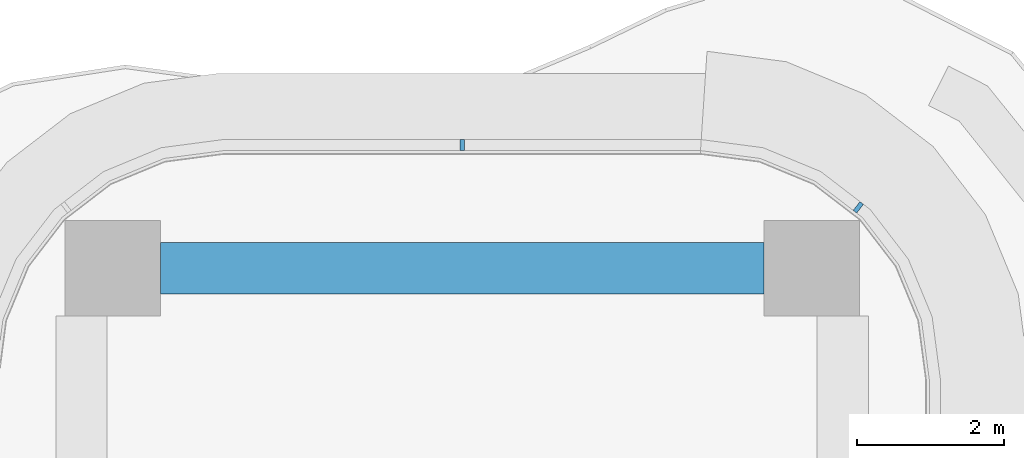
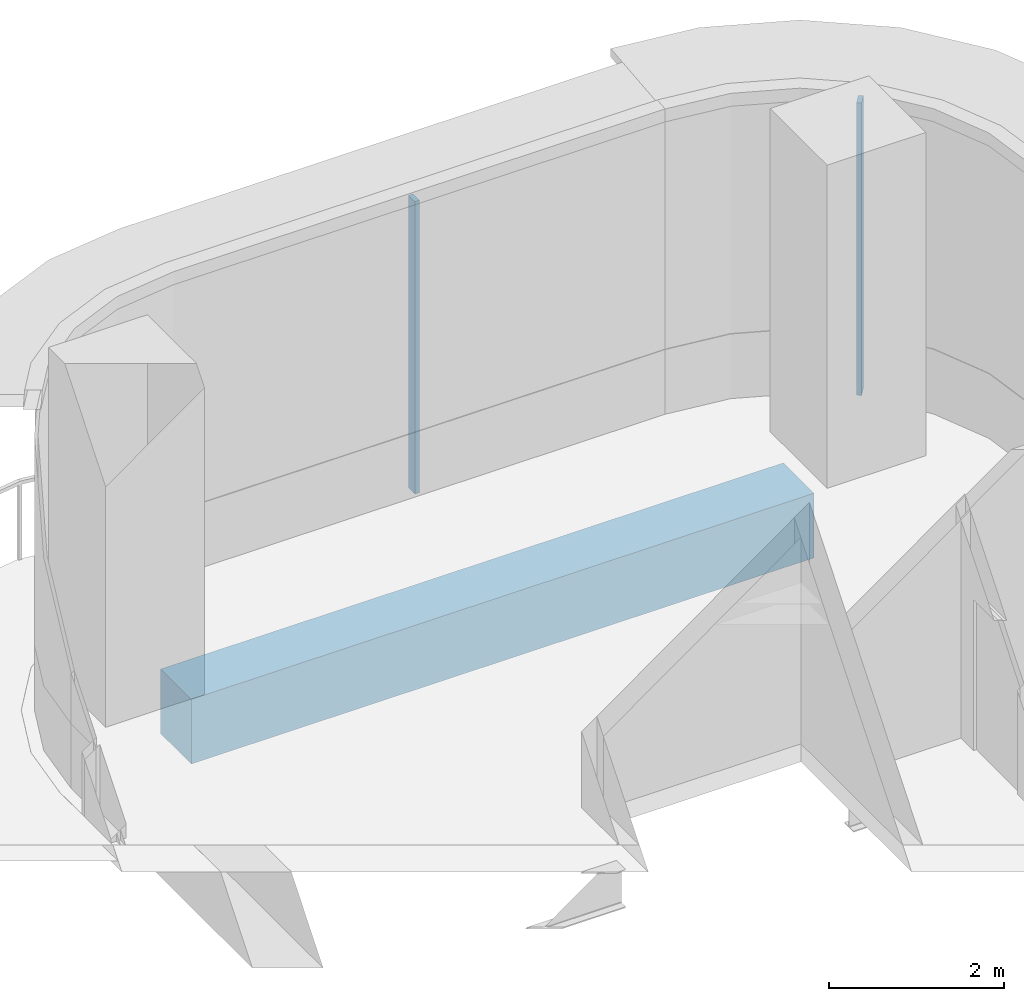
# One storey, part 12 of 23: 2 members, 1 beam, 2 elements without a shape of their own.
"""IFC4 building model written with IfcOpenShell, lengths in metres."""

from ifc_helpers import new_model, si_unit, direction, frame, origin, origin_2d, place, context, subcontext, project, spatial, rectangle, extrude, source, transform, mapped, material, layer, layer_set, material_profile, profile_set, type_object, element, aggregate, save


model = new_model("IFC4")

# Units and contexts
model_context = context("Model", 3, precision=1e-05, world=origin(), true_north=direction((0.0, 1.0)))
body_context = subcontext(model_context, "Body", "Model", "MODEL_VIEW")
ifc_project = project(units=[si_unit("LENGTHUNIT", "METRE"), si_unit("AREAUNIT", "SQUARE_METRE"), si_unit("VOLUMEUNIT", "CUBIC_METRE"), si_unit("PLANEANGLEUNIT", "RADIAN"), si_unit("MASSUNIT", "GRAM", prefix="KILO")], contexts=[model_context])

# Site, building, storey
site_placement = place(None, origin())
site = spatial("IfcSite", under=ifc_project, at=site_placement, CompositionType="ELEMENT")
building_placement = place(site_placement, origin())
building = spatial("IfcBuilding", under=site, at=building_placement, Name="Trellis Farm Tower", CompositionType="ELEMENT")
storey_placement = place(building_placement, frame((0.0, 0.0, 120.0)))
storey = spatial("IfcBuildingStorey", under=building, at=storey_placement, Name="L25", CompositionType="ELEMENT", Elevation=120.0)

# Beam
ifc_material_1 = material(Name="Concrete C60/75", Category="concrete")
ifc_material_profile_1 = material_profile(ifc_material_1, rectangle(XDim=0.699951171875, YDim=0.89990234375, at=origin_2d()), Name="RC spandrel beam 700x900 C60/75")
ifc_profile_set_1 = profile_set([ifc_material_profile_1], Name="Concrete C60/75")
beam_type = type_object("IfcBeamType", Name="RC spandrel beam 700x900 C60/75", PredefinedType="SPANDREL", material=ifc_profile_set_1)
shared_shape_1 = source(origin(), body_context, "Body", "SweptSolid", [
    extrude(rectangle(XDim=0.699951171875, YDim=0.89990234375, at=origin_2d()), origin(), (0.0, 0.0, 1.0), 8.2001953125),
])
beam_placement = place(storey_placement, frame((-4.10009765625, 24.25, -0.699951171875), z_axis=(1.0, 0.0, 0.0), x_axis=(0.0, 1.0, 0.0)))
element("IfcBeam", 1, at=beam_placement, inside=storey, type_object=beam_type, Name="Girder", PredefinedType="SPANDREL", context=body_context, shape_type="MappedRepresentation", body=[
    mapped(shared_shape_1, transform((0.0, 0.0, 0.0))),
])

# Curtain wall, member
ifc_material_2 = material(Name="Aluminium and glass curtain wall", Category="aluminium")
ifc_layer = layer(ifc_material_2, 0.18994140625)
ifc_layer_set = layer_set([ifc_layer], Name="RIBBON CURTAIN WALL CW1")
curtain_wall_type = type_object("IfcCurtainWallType", Name="RIBBON CURTAIN WALL CW1", PredefinedType="NOTDEFINED", material=ifc_layer_set)
placement = place(storey_placement, origin())
curtain_wall_1 = element("IfcCurtainWall", 2, at=placement, inside=storey, type_object=curtain_wall_type, Name="CW1 009", PredefinedType="NOTDEFINED")
ifc_material_3 = material(Name="Aluminium extrusion 6063-T6", Category="aluminium")
ifc_material_profile_2 = material_profile(ifc_material_3, rectangle(XDim=0.06005859375, YDim=0.14990234375, at=origin_2d()), Name="MULLION 60x150")
ifc_profile_set_2 = profile_set([ifc_material_profile_2], Name="Aluminium extrusion 6063-T6")
member_type = type_object("IfcMemberType", Name="CW1 MULLION 60x150", PredefinedType="MULLION", material=ifc_profile_set_2)
shared_shape_2 = source(origin(), body_context, "Body", "SweptSolid", [
    extrude(rectangle(XDim=0.06005859375, YDim=0.14990234375, at=origin_2d()), origin(), (0.0, 0.0, 1.0), 4.070068359375),
])
member_1_placement = place(storey_placement, frame((5.385498046875, 25.078369140625, 0.0), z_axis=(0.0, 0.0, 1.0), x_axis=(-0.793353340291, 0.608761429009, 0.0)))
member_1 = element("IfcMember", 3, at=member_1_placement, type_object=member_type, Name="MU1 009-03", PredefinedType="MULLION", context=body_context, shape_type="MappedRepresentation", body=[
    mapped(shared_shape_2, transform((0.0, 0.0, 0.0))),
])
aggregate(curtain_wall_1, [member_1])

curtain_wall_2 = element("IfcCurtainWall", 4, at=placement, inside=storey, type_object=curtain_wall_type, Name="CW1 010", PredefinedType="NOTDEFINED")
member_2_placement = place(storey_placement, frame((0.0, 25.925048828125, 0.0), z_axis=(0.0, 0.0, 1.0), x_axis=(-1.0, 0.0, 0.0)))
member_2 = element("IfcMember", 5, at=member_2_placement, type_object=member_type, Name="MU1 010-01", PredefinedType="MULLION", context=body_context, shape_type="MappedRepresentation", body=[
    mapped(shared_shape_2, transform((0.0, 0.0, 0.0))),
])
aggregate(curtain_wall_2, [member_2])

save(model, "model.ifc")
